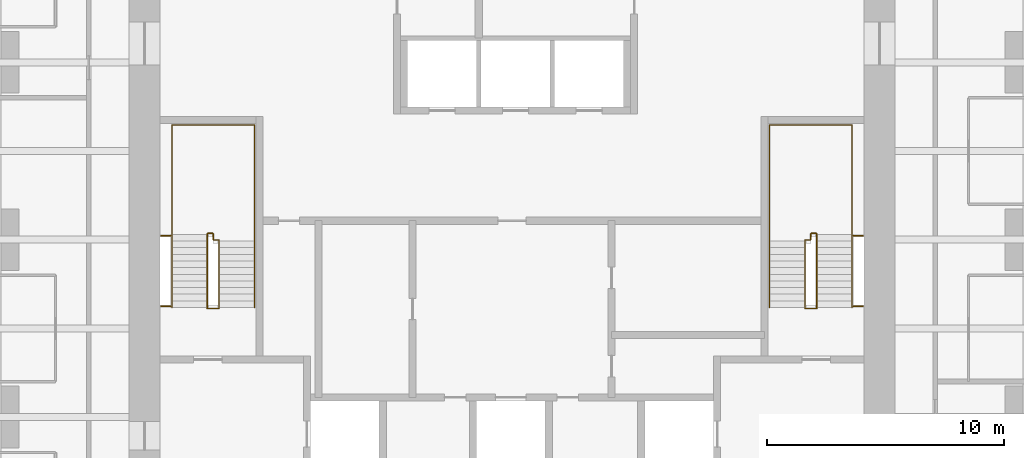
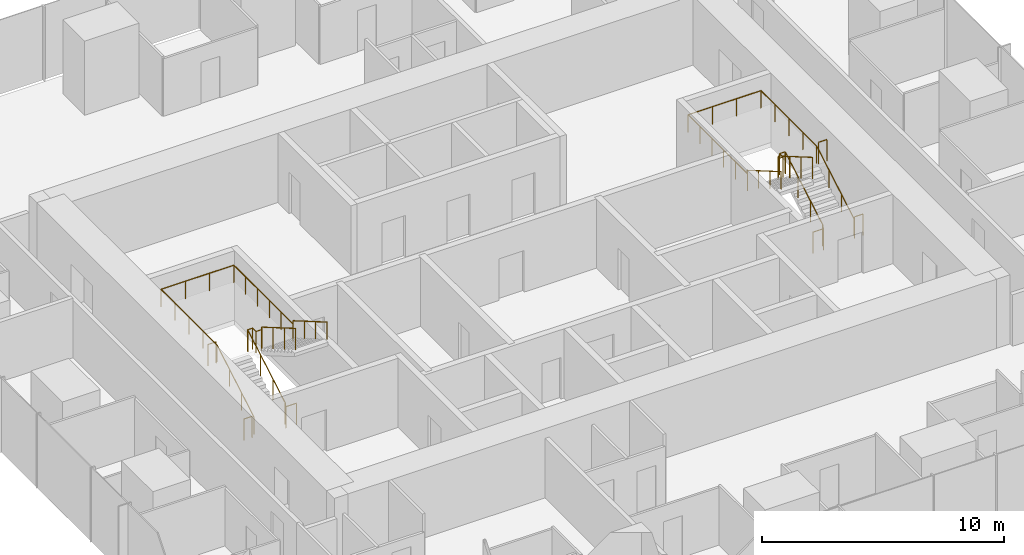
# One storey, part 12 of 12: 8 railings.
"""IFC4 building model written with IfcOpenShell, lengths in metres."""

import ifcopenshell
import ifcopenshell.guid

model = None  # the IFC model being written
_history = None  # IfcOwnerHistory: only IFC2X3 demands one
_inside = {}  # id of a spatial element -> (the spatial element, [elements in it])
_under = {}  # id of a project, library or spatial element -> (it, [spatial elements below it])
_declared = {}  # id of a project -> (the project, [libraries it declares])
_typed = {}  # id of a type object -> (the type object, [elements of that type])
_made_of = {}  # id of a material, layer set ... -> (it, [elements and type objects made of it])


def new_model(schema):
    """Start an empty IFC model of exactly this schema.

    Asked for "IFC4X3", IfcOpenShell would pick the latest addendum, in which some entities
    have other attributes; the version numbers below select the first issue.
    IFC2X3 requires an IfcOwnerHistory on every rooted entity: one is made here for all.
    """
    global model, _history
    if schema == "IFC4X3":
        model = ifcopenshell.file(schema_version=(4, 3, 0, 0))
    else:
        model = ifcopenshell.file(schema=schema)
    _inside.clear()
    _under.clear()
    _declared.clear()
    _typed.clear()
    _made_of.clear()
    _history = None
    if model.schema == "IFC2X3":
        org = make("IfcOrganization", Name="unknown")
        user = make(
            "IfcPersonAndOrganization",
            ThePerson=make("IfcPerson", FamilyName="unknown"),
            TheOrganization=org,
        )
        app = make(
            "IfcApplication",
            ApplicationDeveloper=org,
            Version="unknown",
            ApplicationFullName="unknown",
            ApplicationIdentifier="unknown",
        )
        _history = make(
            "IfcOwnerHistory",
            OwningUser=user,
            OwningApplication=app,
            ChangeAction="ADDED",
            CreationDate=0,
        )
    return model


def make(cls, **values):
    """One entity of the class cls with the attributes given. An attribute that is None is left unset."""
    return model.create_entity(
        cls, **{name: value for name, value in values.items() if value is not None}
    )


def rooted(cls, **values):
    """An entity with a GlobalId (a new one), such as an element, a storey or a relation."""
    return make(cls, GlobalId=ifcopenshell.guid.new(), OwnerHistory=_history, **values)


def si_unit(unit_type, name, prefix=None):
    """IfcSIUnit, for example si_unit("LENGTHUNIT", "METRE", prefix="MILLI")."""
    return make("IfcSIUnit", UnitType=unit_type, Prefix=prefix, Name=name)


def assignment(units):
    """IfcUnitAssignment: the units of a project."""
    return None if units is None else make("IfcUnitAssignment", Units=units)


def point(xyz):
    """IfcCartesianPoint."""
    return None if xyz is None else make("IfcCartesianPoint", Coordinates=xyz)


def direction(xyz):
    """IfcDirection."""
    return None if xyz is None else make("IfcDirection", DirectionRatios=xyz)


def frame(location, z_axis=None, x_axis=None):
    """IfcAxis2Placement3D, a coordinate frame: its origin and axes. An axis left out is left unset."""
    return make(
        "IfcAxis2Placement3D",
        Location=point(location),
        Axis=direction(z_axis),
        RefDirection=direction(x_axis),
    )


def frame_2d(location, x_axis=None):
    """IfcAxis2Placement2D, a coordinate frame in the plane: its origin and x axis."""
    return make(
        "IfcAxis2Placement2D", Location=point(location), RefDirection=direction(x_axis)
    )


def origin():
    """The frame at (0, 0, 0) with its axes left unset."""
    return frame((0.0, 0.0, 0.0))


def origin_2d():
    """The frame at (0, 0) in the plane with its x axis left unset."""
    return frame_2d((0.0, 0.0))


def place(relative_to, where):
    """IfcLocalPlacement: puts the frame where relative to a parent placement (None: the world)."""
    return make(
        "IfcLocalPlacement", PlacementRelTo=relative_to, RelativePlacement=where
    )


def context(
    kind, dimensions, precision=None, world=None, true_north=None, identifier=None
):
    """IfcGeometricRepresentationContext, for example the 3D "Model" context."""
    return make(
        "IfcGeometricRepresentationContext",
        ContextIdentifier=identifier,
        ContextType=kind,
        CoordinateSpaceDimension=dimensions,
        Precision=precision,
        WorldCoordinateSystem=world,
        TrueNorth=true_north,
    )


def subcontext(parent, identifier, kind, view, scale=None):
    """IfcGeometricRepresentationSubContext, for example "Body" below "Model"."""
    return make(
        "IfcGeometricRepresentationSubContext",
        ContextIdentifier=identifier,
        ContextType=kind,
        ParentContext=parent,
        TargetScale=scale,
        TargetView=view,
    )


def project(units=None, contexts=None):
    """IfcProject with its units and contexts."""
    return rooted(
        "IfcProject",
        Name="project",
        RepresentationContexts=contexts,
        UnitsInContext=assignment(units),
    )


def spatial(cls, under=None, at=None, **own):
    """A site, building, storey or space (cls), placed at a placement, below another one or the project."""
    s = rooted(cls, ObjectPlacement=at, **own)
    if under is not None:
        _under.setdefault(under.id(), (under, []))[1].append(s)
    return s


def profile(cls, at=None, kind="AREA", **sizes):
    """A parametric profile (cls). Its sizes go by their IFC names, for example OverallWidth=200.0."""
    return make(cls, ProfileType=kind, Position=at, **sizes)


def circle(**sizes):
    """IfcCircleProfileDef."""
    return profile("IfcCircleProfileDef", **sizes)


def extrude(swept, where, along, depth):
    """IfcExtrudedAreaSolid: the profile swept, set in the frame where, extruded along a direction by depth."""
    return make(
        "IfcExtrudedAreaSolid",
        SweptArea=swept,
        Position=where,
        ExtrudedDirection=direction(along),
        Depth=depth,
    )


def shape(context_of_items, identifier, shape_type, items):
    """IfcShapeRepresentation: the items that make up one representation, for example the "Body"."""
    return make(
        "IfcShapeRepresentation",
        ContextOfItems=context_of_items,
        RepresentationIdentifier=identifier,
        RepresentationType=shape_type,
        Items=items,
    )


def material(Name=None, Category=None):
    """IfcMaterial."""
    return make("IfcMaterial", Name=Name, Category=Category)


def made_of(thing, what):
    """Note that an element or type object is made of a material, layer set ...; save() writes the relation."""
    if what is not None:
        _made_of.setdefault(what.id(), (what, []))[1].append(thing)
    return thing


def type_object(cls, material=None, **own):
    """A type object (cls), such as IfcWallType, which elements share."""
    return made_of(rooted(cls, **own), material)


def element(
    cls,
    number,
    at=None,
    inside=None,
    cuts=None,
    type_object=None,
    material=None,
    context=None,
    identifier="Body",
    shape_type=None,
    held_by="IfcProductDefinitionShape",
    body=None,
    shapes=None,
    **own,
):
    """One element of the class cls, such as IfcWall. Its Tag is "e" and its number.

    at: its placement. inside: the storey or other place that contains it. cuts: it is an
    opening in that element (IfcRelVoidsElement). A single representation is given by context,
    identifier, shape_type and body (its items); several are given by shapes. held_by: the class
    of the entity that holds the representations. save() writes the other relations.
    """
    e = rooted(cls, Tag="e%d" % number, ObjectPlacement=at, **own)
    if body is not None:
        shapes = [shape(context, identifier, shape_type, body)]
    if shapes is not None:
        e.Representation = make(held_by, Representations=shapes)
    if inside is not None:
        _inside.setdefault(inside.id(), (inside, []))[1].append(e)
    if cuts is not None:
        rooted(
            "IfcRelVoidsElement", RelatingBuildingElement=cuts, RelatedOpeningElement=e
        )
    if type_object is not None:
        _typed.setdefault(type_object.id(), (type_object, []))[1].append(e)
    return made_of(e, material)


def aggregate(whole, parts):
    """IfcRelAggregates: a whole, such as a stair, and the parts it consists of."""
    return rooted("IfcRelAggregates", RelatingObject=whole, RelatedObjects=parts)


def save(model, path):
    """Write the relations noted so far, then the file.

    IfcRelAggregates (storeys below a building ...), IfcRelContainedInSpatialStructure (elements
    in a storey), IfcRelDefinesByType, IfcRelAssociatesMaterial and IfcRelDeclares: one each for
    every whole, place, type object, material and project.
    """
    for whole, parts in _under.values():
        aggregate(whole, parts)
    for where, things in _inside.values():
        rooted(
            "IfcRelContainedInSpatialStructure",
            RelatedElements=things,
            RelatingStructure=where,
        )
    for kind, things in _typed.values():
        rooted("IfcRelDefinesByType", RelatedObjects=things, RelatingType=kind)
    for what, things in _made_of.values():
        rooted("IfcRelAssociatesMaterial", RelatedObjects=things, RelatingMaterial=what)
    for by, libraries in _declared.values():
        rooted("IfcRelDeclares", RelatingContext=by, RelatedDefinitions=libraries)
    model.write(path)


model = new_model("IFC4")

# Units and contexts
model_context = context("Model", 3, precision=1e-05, world=origin(), true_north=direction((0.0, 1.0)))
body_context = subcontext(model_context, "Body", "Model", "MODEL_VIEW")
ifc_project = project(units=[si_unit("LENGTHUNIT", "METRE"), si_unit("AREAUNIT", "SQUARE_METRE"), si_unit("VOLUMEUNIT", "CUBIC_METRE"), si_unit("PLANEANGLEUNIT", "RADIAN"), si_unit("MASSUNIT", "GRAM", prefix="KILO")], contexts=[model_context])

# Site, building, storey
site_placement = place(None, origin())
site = spatial("IfcSite", under=ifc_project, at=site_placement, CompositionType="ELEMENT")
building_placement = place(site_placement, origin())
building = spatial("IfcBuilding", under=site, at=building_placement, Name="Khuree Lantern Residences", CompositionType="ELEMENT")
storey_placement = place(building_placement, frame((0.0, 0.0, 289.5)))
storey = spatial("IfcBuildingStorey", under=building, at=storey_placement, Name="L72", CompositionType="ELEMENT", Elevation=289.5)

# Railings
ifc_material = material(Name="Steel S355", Category="steel")
railing_type_1 = type_object("IfcRailingType", Name="STAIR GUARD G1 1100", PredefinedType="GUARDRAIL", material=ifc_material)
railing_1_placement = place(storey_placement, frame((-12.35009765625, -2.909912109375, 0.0)))
element("IfcRailing", 1, at=railing_1_placement, inside=storey, type_object=railing_type_1, Name="Stair ST1 guard", PredefinedType="GUARDRAIL", context=body_context, shape_type="SweptSolid", body=[
    extrude(circle(Radius=0.02392578125, at=origin_2d()), frame((0.0, 0.0, 1.076171875), z_axis=(-1.0, 0.0, 0.0), x_axis=(0.0, -1.0, 0.0)), (0.0, 0.0, 1.0), 0.5),
    extrude(circle(Radius=0.02392578125, at=origin_2d()), frame((-0.5, 0.0, 1.076171875), z_axis=(0.0, 0.292073035251, 0.95639601739), x_axis=(-1.0, 0.0, 0.0)), (0.0, 0.0, 1.0), 0.17041015625),
    extrude(circle(Radius=0.02392578125, at=origin_2d()), frame((-0.5, 0.0498046875, 1.2392578125), z_axis=(0.0, 0.864176135923, 0.503189433615), x_axis=(-1.0, 0.0, 0.0)), (0.0, 0.0, 1.0), 3.564208984375),
    extrude(circle(Radius=0.02392578125, at=origin_2d()), frame((-0.5, 3.1298828125, 3.03271484375), z_axis=(0.0, 1.0, 0.0), x_axis=(-1.0, 0.0, 0.0)), (0.0, 0.0, 1.0), 0.050048828125),
    extrude(circle(Radius=0.02392578125, at=origin_2d()), frame((-0.5, 3.179931640625, 3.03271484375), z_axis=(1.0, 0.0, 0.0), x_axis=(0.0, 1.0, 0.0)), (0.0, 0.0, 1.0), 0.25),
    extrude(circle(Radius=0.02392578125, at=origin_2d()), frame((-0.25, 3.179931640625, 3.03271484375), z_axis=(0.0, -1.0, 0.0), x_axis=(1.0, 0.0, 0.0)), (0.0, 0.0, 1.0), 0.280029296875),
    extrude(circle(Radius=0.02392578125, at=origin_2d()), frame((-0.25, 2.89990234375, 3.03271484375), z_axis=(1.0, 0.0, 0.0), x_axis=(0.0, 1.0, 0.0)), (0.0, 0.0, 1.0), 0.25),
    extrude(circle(Radius=0.02392578125, at=origin_2d()), frame((0.0, 2.89990234375, 3.03271484375), z_axis=(0.0, -0.293381807449, 0.955995353053), x_axis=(1.0, 0.0, 0.0)), (0.0, 0.0, 1.0), 0.170654296875),
    extrude(circle(Radius=0.02392578125, at=origin_2d()), frame((0.0, 2.849853515625, 3.19580078125), z_axis=(0.0, -0.864180358799, 0.503182181189), x_axis=(1.0, 0.0, 0.0)), (0.0, 0.0, 1.0), 3.240234375),
    extrude(circle(Radius=0.02099609375, at=origin_2d()), origin(), (0.0, 0.0, 1.0), 1.052001953125),
    extrude(circle(Radius=0.02099609375, at=origin_2d()), frame((-0.5, 0.0, 0.0)), (0.0, 0.0, 1.0), 1.052001953125),
    extrude(circle(Radius=0.02099609375, at=origin_2d()), frame((-0.5, 0.0498046875, 0.1630859375)), (0.0, 0.0, 1.0), 1.052001953125),
    extrude(circle(Radius=0.02099609375, at=origin_2d()), frame((-0.5, 1.076416015625, 0.760986328125)), (0.0, 0.0, 1.0), 1.052001953125),
    extrude(circle(Radius=0.02099609375, at=origin_2d()), frame((-0.5, 2.103271484375, 1.358642578125)), (0.0, 0.0, 1.0), 1.052001953125),
    extrude(circle(Radius=0.02099609375, at=origin_2d()), frame((-0.5, 3.1298828125, 1.95654296875)), (0.0, 0.0, 1.0), 1.052001953125),
    extrude(circle(Radius=0.02099609375, at=origin_2d()), frame((-0.5, 3.179931640625, 1.95654296875)), (0.0, 0.0, 1.0), 1.052001953125),
    extrude(circle(Radius=0.02099609375, at=origin_2d()), frame((-0.25, 3.179931640625, 1.95654296875)), (0.0, 0.0, 1.0), 1.052001953125),
    extrude(circle(Radius=0.02099609375, at=origin_2d()), frame((-0.25, 2.89990234375, 1.95654296875)), (0.0, 0.0, 1.0), 1.052001953125),
    extrude(circle(Radius=0.02099609375, at=origin_2d()), frame((0.0, 2.89990234375, 1.95654296875)), (0.0, 0.0, 1.0), 1.052001953125),
    extrude(circle(Radius=0.02099609375, at=origin_2d()), frame((0.0, 2.849853515625, 2.11962890625)), (0.0, 0.0, 1.0), 1.052001953125),
    extrude(circle(Radius=0.02099609375, at=origin_2d()), frame((0.0, 1.91650390625, 2.6630859375)), (0.0, 0.0, 1.0), 1.052001953125),
    extrude(circle(Radius=0.02099609375, at=origin_2d()), frame((0.0, 0.983154296875, 3.20654296875)), (0.0, 0.0, 1.0), 1.052001953125),
    extrude(circle(Radius=0.02099609375, at=origin_2d()), frame((0.0, 0.0498046875, 3.75)), (0.0, 0.0, 1.0), 1.052001953125),
])
for number, where, name in (
    (2, (-14.800048828125, -2.81005859375, 0.0), "Stair ST1 landing slot guard"),
    (3, (-14.800048828125, 0.169921875, 1.95654296875), "Stair ST1 landing slot guard"),
):
    element("IfcRailing", number, at=place(storey_placement, frame(where)), inside=storey, type_object=railing_type_1, Name=name, PredefinedType="GUARDRAIL", context=body_context, shape_type="SweptSolid", body=[
        extrude(circle(Radius=0.02392578125, at=origin_2d()), frame((0.0, 0.0, 1.076171875), z_axis=(1.0, 0.0, 0.0), x_axis=(0.0, 1.0, 0.0)), (0.0, 0.0, 1.0), 0.400146484375),
        extrude(circle(Radius=0.02099609375, at=origin_2d()), origin(), (0.0, 0.0, 1.0), 1.052001953125),
        extrude(circle(Radius=0.02099609375, at=origin_2d()), frame((0.400146484375, 0.0, 0.0)), (0.0, 0.0, 1.0), 1.052001953125),
    ])
railing_2_placement = place(storey_placement, frame((12.35009765625, -2.909912109375, 0.0)))
element("IfcRailing", 4, at=railing_2_placement, inside=storey, type_object=railing_type_1, Name="Stair ST2 guard", PredefinedType="GUARDRAIL", context=body_context, shape_type="SweptSolid", body=[
    extrude(circle(Radius=0.02392578125, at=origin_2d()), frame((0.0, 0.0, 1.076171875), z_axis=(1.0, 0.0, 0.0), x_axis=(0.0, 1.0, 0.0)), (0.0, 0.0, 1.0), 0.5),
    extrude(circle(Radius=0.02392578125, at=origin_2d()), frame((0.5, 0.0, 1.076171875), z_axis=(0.0, 0.292073035251, 0.95639601739), x_axis=(-1.0, 0.0, 0.0)), (0.0, 0.0, 1.0), 0.17041015625),
    extrude(circle(Radius=0.02392578125, at=origin_2d()), frame((0.5, 0.0498046875, 1.2392578125), z_axis=(0.0, 0.864176135923, 0.503189433615), x_axis=(-1.0, 0.0, 0.0)), (0.0, 0.0, 1.0), 3.564208984375),
    extrude(circle(Radius=0.02392578125, at=origin_2d()), frame((0.5, 3.1298828125, 3.03271484375), z_axis=(0.0, 1.0, 0.0), x_axis=(-1.0, 0.0, 0.0)), (0.0, 0.0, 1.0), 0.050048828125),
    extrude(circle(Radius=0.02392578125, at=origin_2d()), frame((0.5, 3.179931640625, 3.03271484375), z_axis=(-1.0, 0.0, 0.0), x_axis=(0.0, -1.0, 0.0)), (0.0, 0.0, 1.0), 0.25),
    extrude(circle(Radius=0.02392578125, at=origin_2d()), frame((0.25, 3.179931640625, 3.03271484375), z_axis=(0.0, -1.0, 0.0), x_axis=(1.0, 0.0, 0.0)), (0.0, 0.0, 1.0), 0.280029296875),
    extrude(circle(Radius=0.02392578125, at=origin_2d()), frame((0.25, 2.89990234375, 3.03271484375), z_axis=(-1.0, 0.0, 0.0), x_axis=(0.0, -1.0, 0.0)), (0.0, 0.0, 1.0), 0.25),
    extrude(circle(Radius=0.02392578125, at=origin_2d()), frame((0.0, 2.89990234375, 3.03271484375), z_axis=(0.0, -0.293381807449, 0.955995353053), x_axis=(1.0, 0.0, 0.0)), (0.0, 0.0, 1.0), 0.170654296875),
    extrude(circle(Radius=0.02392578125, at=origin_2d()), frame((0.0, 2.849853515625, 3.19580078125), z_axis=(0.0, -0.864180358799, 0.503182181189), x_axis=(1.0, 0.0, 0.0)), (0.0, 0.0, 1.0), 3.240234375),
    extrude(circle(Radius=0.02099609375, at=origin_2d()), origin(), (0.0, 0.0, 1.0), 1.052001953125),
    extrude(circle(Radius=0.02099609375, at=origin_2d()), frame((0.5, 0.0, 0.0)), (0.0, 0.0, 1.0), 1.052001953125),
    extrude(circle(Radius=0.02099609375, at=origin_2d()), frame((0.5, 0.0498046875, 0.1630859375)), (0.0, 0.0, 1.0), 1.052001953125),
    extrude(circle(Radius=0.02099609375, at=origin_2d()), frame((0.5, 1.076416015625, 0.760986328125)), (0.0, 0.0, 1.0), 1.052001953125),
    extrude(circle(Radius=0.02099609375, at=origin_2d()), frame((0.5, 2.103271484375, 1.358642578125)), (0.0, 0.0, 1.0), 1.052001953125),
    extrude(circle(Radius=0.02099609375, at=origin_2d()), frame((0.5, 3.1298828125, 1.95654296875)), (0.0, 0.0, 1.0), 1.052001953125),
    extrude(circle(Radius=0.02099609375, at=origin_2d()), frame((0.5, 3.179931640625, 1.95654296875)), (0.0, 0.0, 1.0), 1.052001953125),
    extrude(circle(Radius=0.02099609375, at=origin_2d()), frame((0.25, 3.179931640625, 1.95654296875)), (0.0, 0.0, 1.0), 1.052001953125),
    extrude(circle(Radius=0.02099609375, at=origin_2d()), frame((0.25, 2.89990234375, 1.95654296875)), (0.0, 0.0, 1.0), 1.052001953125),
    extrude(circle(Radius=0.02099609375, at=origin_2d()), frame((0.0, 2.89990234375, 1.95654296875)), (0.0, 0.0, 1.0), 1.052001953125),
    extrude(circle(Radius=0.02099609375, at=origin_2d()), frame((0.0, 2.849853515625, 2.11962890625)), (0.0, 0.0, 1.0), 1.052001953125),
    extrude(circle(Radius=0.02099609375, at=origin_2d()), frame((0.0, 1.91650390625, 2.6630859375)), (0.0, 0.0, 1.0), 1.052001953125),
    extrude(circle(Radius=0.02099609375, at=origin_2d()), frame((0.0, 0.983154296875, 3.20654296875)), (0.0, 0.0, 1.0), 1.052001953125),
    extrude(circle(Radius=0.02099609375, at=origin_2d()), frame((0.0, 0.0498046875, 3.75)), (0.0, 0.0, 1.0), 1.052001953125),
])
for number, where, name in (
    (5, (14.800048828125, -2.81005859375, 0.0), "Stair ST2 landing slot guard"),
    (6, (14.800048828125, 0.169921875, 1.95654296875), "Stair ST2 landing slot guard"),
):
    element("IfcRailing", number, at=place(storey_placement, frame(where)), inside=storey, type_object=railing_type_1, Name=name, PredefinedType="GUARDRAIL", context=body_context, shape_type="SweptSolid", body=[
        extrude(circle(Radius=0.02392578125, at=origin_2d()), frame((0.0, 0.0, 1.076171875), z_axis=(-1.0, 0.0, 0.0), x_axis=(0.0, -1.0, 0.0)), (0.0, 0.0, 1.0), 0.400146484375),
        extrude(circle(Radius=0.02099609375, at=origin_2d()), origin(), (0.0, 0.0, 1.0), 1.052001953125),
        extrude(circle(Radius=0.02099609375, at=origin_2d()), frame((-0.400146484375, 0.0, 0.0)), (0.0, 0.0, 1.0), 1.052001953125),
    ])
railing_type_2 = type_object("IfcRailingType", Name="STAIR HANDRAIL H1 900", PredefinedType="HANDRAIL", material=ifc_material)
railing_3_placement = place(storey_placement, frame((-14.340087890625, -2.860107421875, 0.1630859375)))
element("IfcRailing", 7, at=railing_3_placement, inside=storey, type_object=railing_type_2, Name="Stair ST1 handrail", PredefinedType="HANDRAIL", context=body_context, shape_type="SweptSolid", body=[
    extrude(circle(Radius=0.02392578125, at=origin_2d()), frame((0.0, 0.0, 0.8759765625), z_axis=(0.0, 0.864176135923, 0.503189433615), x_axis=(-1.0, 0.0, 0.0)), (0.0, 0.0, 1.0), 3.564208984375),
    extrude(circle(Radius=0.02392578125, at=origin_2d()), frame((0.0, 3.080078125, 2.66943359375), z_axis=(0.0, 1.0, 0.0), x_axis=(-1.0, 0.0, 0.0)), (0.0, 0.0, 1.0), 4.6201171875),
    extrude(circle(Radius=0.02392578125, at=origin_2d()), frame((0.0, 7.7001953125, 2.66943359375), z_axis=(1.0, 0.0, 0.0), x_axis=(0.0, 1.0, 0.0)), (0.0, 0.0, 1.0), 3.47998046875),
    extrude(circle(Radius=0.02392578125, at=origin_2d()), frame((3.47998046875, 7.7001953125, 2.66943359375), z_axis=(0.0, -1.0, 0.0), x_axis=(1.0, 0.0, 0.0)), (0.0, 0.0, 1.0), 4.900146484375),
    extrude(circle(Radius=0.02392578125, at=origin_2d()), frame((3.47998046875, 2.800048828125, 2.66943359375), z_axis=(0.0, 0.0, 1.0), x_axis=(1.0, 0.0, 0.0)), (0.0, 0.0, 1.0), 0.1630859375),
    extrude(circle(Radius=0.02392578125, at=origin_2d()), frame((3.47998046875, 2.800048828125, 2.83251953125), z_axis=(0.0, -0.864180358799, 0.503182181189), x_axis=(1.0, 0.0, 0.0)), (0.0, 0.0, 1.0), 3.240234375),
    extrude(circle(Radius=0.02099609375, at=origin_2d()), origin(), (0.0, 0.0, 1.0), 0.851806640625),
    extrude(circle(Radius=0.02099609375, at=origin_2d()), frame((0.0, 1.026611328125, 0.597900390625)), (0.0, 0.0, 1.0), 0.851806640625),
    extrude(circle(Radius=0.02099609375, at=origin_2d()), frame((0.0, 2.053466796875, 1.195556640625)), (0.0, 0.0, 1.0), 0.851806640625),
    extrude(circle(Radius=0.02099609375, at=origin_2d()), frame((0.0, 3.080078125, 1.79345703125)), (0.0, 0.0, 1.0), 0.851806640625),
    extrude(circle(Radius=0.02099609375, at=origin_2d()), frame((0.0, 4.235107421875, 1.79345703125)), (0.0, 0.0, 1.0), 0.851806640625),
    extrude(circle(Radius=0.02099609375, at=origin_2d()), frame((0.0, 5.39013671875, 1.79345703125)), (0.0, 0.0, 1.0), 0.851806640625),
    extrude(circle(Radius=0.02099609375, at=origin_2d()), frame((0.0, 6.545166015625, 1.79345703125)), (0.0, 0.0, 1.0), 0.851806640625),
    extrude(circle(Radius=0.02099609375, at=origin_2d()), frame((0.0, 7.7001953125, 1.79345703125)), (0.0, 0.0, 1.0), 0.851806640625),
    extrude(circle(Radius=0.02099609375, at=origin_2d()), frame((1.159912109375, 7.7001953125, 1.79345703125)), (0.0, 0.0, 1.0), 0.851806640625),
    extrude(circle(Radius=0.02099609375, at=origin_2d()), frame((2.320068359375, 7.7001953125, 1.79345703125)), (0.0, 0.0, 1.0), 0.851806640625),
    extrude(circle(Radius=0.02099609375, at=origin_2d()), frame((3.47998046875, 7.7001953125, 1.79345703125)), (0.0, 0.0, 1.0), 0.851806640625),
    extrude(circle(Radius=0.02099609375, at=origin_2d()), frame((3.47998046875, 6.72021484375, 1.79345703125)), (0.0, 0.0, 1.0), 0.851806640625),
    extrude(circle(Radius=0.02099609375, at=origin_2d()), frame((3.47998046875, 5.740234375, 1.79345703125)), (0.0, 0.0, 1.0), 0.851806640625),
    extrude(circle(Radius=0.02099609375, at=origin_2d()), frame((3.47998046875, 4.760009765625, 1.79345703125)), (0.0, 0.0, 1.0), 0.851806640625),
    extrude(circle(Radius=0.02099609375, at=origin_2d()), frame((3.47998046875, 3.780029296875, 1.79345703125)), (0.0, 0.0, 1.0), 0.851806640625),
    extrude(circle(Radius=0.02099609375, at=origin_2d()), frame((3.47998046875, 2.800048828125, 1.79345703125)), (0.0, 0.0, 1.0), 0.851806640625),
    extrude(circle(Radius=0.02099609375, at=origin_2d()), frame((3.47998046875, 2.800048828125, 1.95654296875)), (0.0, 0.0, 1.0), 0.851806640625),
    extrude(circle(Radius=0.02099609375, at=origin_2d()), frame((3.47998046875, 1.86669921875, 2.5)), (0.0, 0.0, 1.0), 0.851806640625),
    extrude(circle(Radius=0.02099609375, at=origin_2d()), frame((3.47998046875, 0.933349609375, 3.04345703125)), (0.0, 0.0, 1.0), 0.851806640625),
    extrude(circle(Radius=0.02099609375, at=origin_2d()), frame((3.47998046875, 0.0, 3.5869140625)), (0.0, 0.0, 1.0), 0.851806640625),
])
railing_4_placement = place(storey_placement, frame((14.340087890625, -2.860107421875, 0.1630859375)))
element("IfcRailing", 8, at=railing_4_placement, inside=storey, type_object=railing_type_2, Name="Stair ST2 handrail", PredefinedType="HANDRAIL", context=body_context, shape_type="SweptSolid", body=[
    extrude(circle(Radius=0.02392578125, at=origin_2d()), frame((0.0, 0.0, 0.8759765625), z_axis=(0.0, 0.864176135923, 0.503189433615), x_axis=(-1.0, 0.0, 0.0)), (0.0, 0.0, 1.0), 3.564208984375),
    extrude(circle(Radius=0.02392578125, at=origin_2d()), frame((0.0, 3.080078125, 2.66943359375), z_axis=(0.0, 1.0, 0.0), x_axis=(-1.0, 0.0, 0.0)), (0.0, 0.0, 1.0), 4.6201171875),
    extrude(circle(Radius=0.02392578125, at=origin_2d()), frame((0.0, 7.7001953125, 2.66943359375), z_axis=(-1.0, 0.0, 0.0), x_axis=(0.0, -1.0, 0.0)), (0.0, 0.0, 1.0), 3.47998046875),
    extrude(circle(Radius=0.02392578125, at=origin_2d()), frame((-3.47998046875, 7.7001953125, 2.66943359375), z_axis=(0.0, -1.0, 0.0), x_axis=(1.0, 0.0, 0.0)), (0.0, 0.0, 1.0), 4.900146484375),
    extrude(circle(Radius=0.02392578125, at=origin_2d()), frame((-3.47998046875, 2.800048828125, 2.66943359375), z_axis=(0.0, 0.0, 1.0), x_axis=(1.0, 0.0, 0.0)), (0.0, 0.0, 1.0), 0.1630859375),
    extrude(circle(Radius=0.02392578125, at=origin_2d()), frame((-3.47998046875, 2.800048828125, 2.83251953125), z_axis=(0.0, -0.864180358799, 0.503182181189), x_axis=(1.0, 0.0, 0.0)), (0.0, 0.0, 1.0), 3.240234375),
    extrude(circle(Radius=0.02099609375, at=origin_2d()), origin(), (0.0, 0.0, 1.0), 0.851806640625),
    extrude(circle(Radius=0.02099609375, at=origin_2d()), frame((0.0, 1.026611328125, 0.597900390625)), (0.0, 0.0, 1.0), 0.851806640625),
    extrude(circle(Radius=0.02099609375, at=origin_2d()), frame((0.0, 2.053466796875, 1.195556640625)), (0.0, 0.0, 1.0), 0.851806640625),
    extrude(circle(Radius=0.02099609375, at=origin_2d()), frame((0.0, 3.080078125, 1.79345703125)), (0.0, 0.0, 1.0), 0.851806640625),
    extrude(circle(Radius=0.02099609375, at=origin_2d()), frame((0.0, 4.235107421875, 1.79345703125)), (0.0, 0.0, 1.0), 0.851806640625),
    extrude(circle(Radius=0.02099609375, at=origin_2d()), frame((0.0, 5.39013671875, 1.79345703125)), (0.0, 0.0, 1.0), 0.851806640625),
    extrude(circle(Radius=0.02099609375, at=origin_2d()), frame((0.0, 6.545166015625, 1.79345703125)), (0.0, 0.0, 1.0), 0.851806640625),
    extrude(circle(Radius=0.02099609375, at=origin_2d()), frame((0.0, 7.7001953125, 1.79345703125)), (0.0, 0.0, 1.0), 0.851806640625),
    extrude(circle(Radius=0.02099609375, at=origin_2d()), frame((-1.159912109375, 7.7001953125, 1.79345703125)), (0.0, 0.0, 1.0), 0.851806640625),
    extrude(circle(Radius=0.02099609375, at=origin_2d()), frame((-2.320068359375, 7.7001953125, 1.79345703125)), (0.0, 0.0, 1.0), 0.851806640625),
    extrude(circle(Radius=0.02099609375, at=origin_2d()), frame((-3.47998046875, 7.7001953125, 1.79345703125)), (0.0, 0.0, 1.0), 0.851806640625),
    extrude(circle(Radius=0.02099609375, at=origin_2d()), frame((-3.47998046875, 6.72021484375, 1.79345703125)), (0.0, 0.0, 1.0), 0.851806640625),
    extrude(circle(Radius=0.02099609375, at=origin_2d()), frame((-3.47998046875, 5.740234375, 1.79345703125)), (0.0, 0.0, 1.0), 0.851806640625),
    extrude(circle(Radius=0.02099609375, at=origin_2d()), frame((-3.47998046875, 4.760009765625, 1.79345703125)), (0.0, 0.0, 1.0), 0.851806640625),
    extrude(circle(Radius=0.02099609375, at=origin_2d()), frame((-3.47998046875, 3.780029296875, 1.79345703125)), (0.0, 0.0, 1.0), 0.851806640625),
    extrude(circle(Radius=0.02099609375, at=origin_2d()), frame((-3.47998046875, 2.800048828125, 1.79345703125)), (0.0, 0.0, 1.0), 0.851806640625),
    extrude(circle(Radius=0.02099609375, at=origin_2d()), frame((-3.47998046875, 2.800048828125, 1.95654296875)), (0.0, 0.0, 1.0), 0.851806640625),
    extrude(circle(Radius=0.02099609375, at=origin_2d()), frame((-3.47998046875, 1.86669921875, 2.5)), (0.0, 0.0, 1.0), 0.851806640625),
    extrude(circle(Radius=0.02099609375, at=origin_2d()), frame((-3.47998046875, 0.933349609375, 3.04345703125)), (0.0, 0.0, 1.0), 0.851806640625),
    extrude(circle(Radius=0.02099609375, at=origin_2d()), frame((-3.47998046875, 0.0, 3.5869140625)), (0.0, 0.0, 1.0), 0.851806640625),
])

save(model, "model.ifc")
